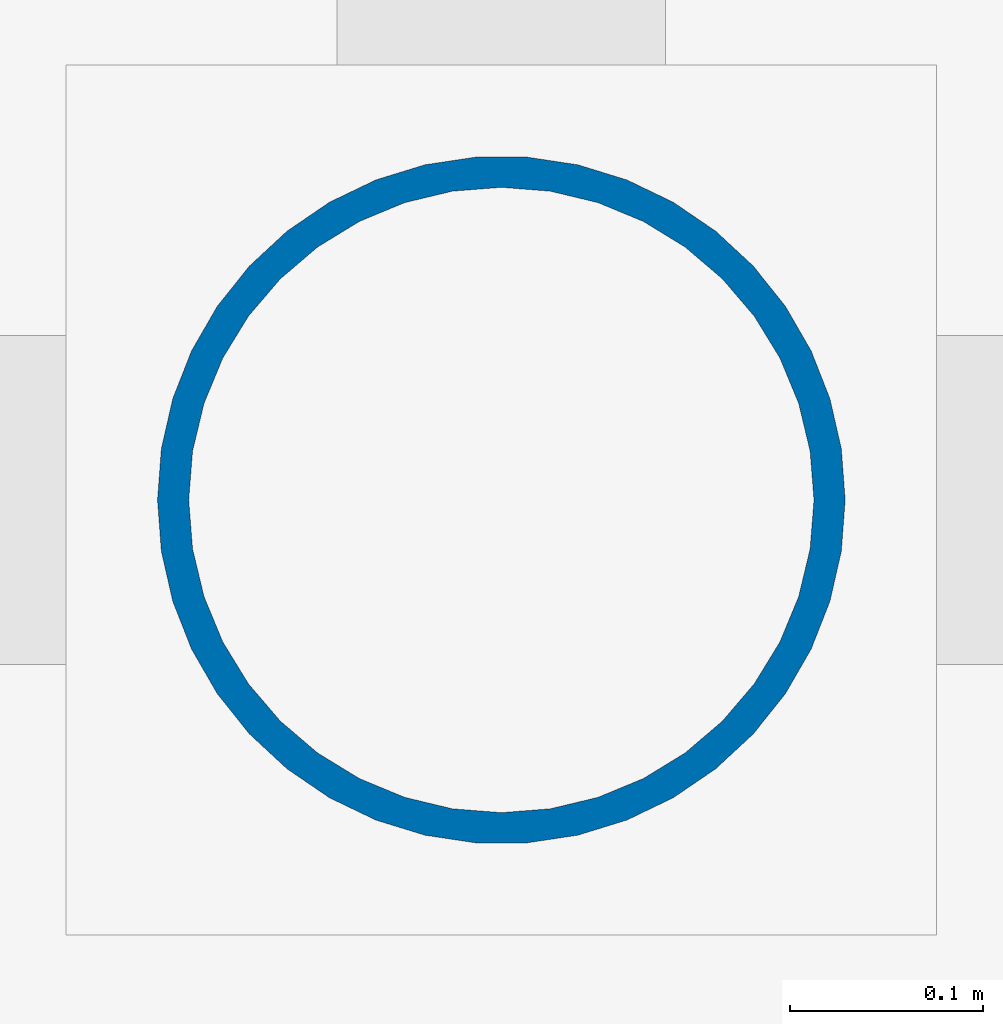
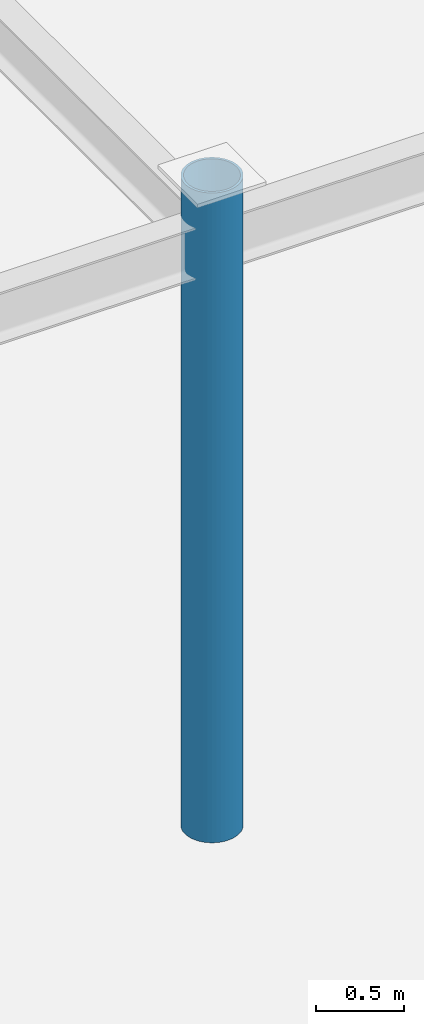
# One storey, part 2 of 39: 1 column.
"""IFC4 building model written with IfcOpenShell, lengths in metres."""

import ifcopenshell
import ifcopenshell.guid

model = None  # the IFC model being written
_history = None  # IfcOwnerHistory: only IFC2X3 demands one
_inside = {}  # id of a spatial element -> (the spatial element, [elements in it])
_under = {}  # id of a project, library or spatial element -> (it, [spatial elements below it])
_declared = {}  # id of a project -> (the project, [libraries it declares])
_typed = {}  # id of a type object -> (the type object, [elements of that type])
_made_of = {}  # id of a material, layer set ... -> (it, [elements and type objects made of it])


def new_model(schema):
    """Start an empty IFC model of exactly this schema.

    Asked for "IFC4X3", IfcOpenShell would pick the latest addendum, in which some entities
    have other attributes; the version numbers below select the first issue.
    IFC2X3 requires an IfcOwnerHistory on every rooted entity: one is made here for all.
    """
    global model, _history
    if schema == "IFC4X3":
        model = ifcopenshell.file(schema_version=(4, 3, 0, 0))
    else:
        model = ifcopenshell.file(schema=schema)
    _inside.clear()
    _under.clear()
    _declared.clear()
    _typed.clear()
    _made_of.clear()
    _history = None
    if model.schema == "IFC2X3":
        org = make("IfcOrganization", Name="unknown")
        user = make(
            "IfcPersonAndOrganization",
            ThePerson=make("IfcPerson", FamilyName="unknown"),
            TheOrganization=org,
        )
        app = make(
            "IfcApplication",
            ApplicationDeveloper=org,
            Version="unknown",
            ApplicationFullName="unknown",
            ApplicationIdentifier="unknown",
        )
        _history = make(
            "IfcOwnerHistory",
            OwningUser=user,
            OwningApplication=app,
            ChangeAction="ADDED",
            CreationDate=0,
        )
    return model


def make(cls, **values):
    """One entity of the class cls with the attributes given. An attribute that is None is left unset."""
    return model.create_entity(
        cls, **{name: value for name, value in values.items() if value is not None}
    )


def rooted(cls, **values):
    """An entity with a GlobalId (a new one), such as an element, a storey or a relation."""
    return make(cls, GlobalId=ifcopenshell.guid.new(), OwnerHistory=_history, **values)


def si_unit(unit_type, name, prefix=None):
    """IfcSIUnit, for example si_unit("LENGTHUNIT", "METRE", prefix="MILLI")."""
    return make("IfcSIUnit", UnitType=unit_type, Prefix=prefix, Name=name)


def assignment(units):
    """IfcUnitAssignment: the units of a project."""
    return None if units is None else make("IfcUnitAssignment", Units=units)


def point(xyz):
    """IfcCartesianPoint."""
    return None if xyz is None else make("IfcCartesianPoint", Coordinates=xyz)


def direction(xyz):
    """IfcDirection."""
    return None if xyz is None else make("IfcDirection", DirectionRatios=xyz)


def frame(location, z_axis=None, x_axis=None):
    """IfcAxis2Placement3D, a coordinate frame: its origin and axes. An axis left out is left unset."""
    return make(
        "IfcAxis2Placement3D",
        Location=point(location),
        Axis=direction(z_axis),
        RefDirection=direction(x_axis),
    )


def frame_2d(location, x_axis=None):
    """IfcAxis2Placement2D, a coordinate frame in the plane: its origin and x axis."""
    return make(
        "IfcAxis2Placement2D", Location=point(location), RefDirection=direction(x_axis)
    )


def origin():
    """The frame at (0, 0, 0) with its axes left unset."""
    return frame((0.0, 0.0, 0.0))


def origin_2d():
    """The frame at (0, 0) in the plane with its x axis left unset."""
    return frame_2d((0.0, 0.0))


def place(relative_to, where):
    """IfcLocalPlacement: puts the frame where relative to a parent placement (None: the world)."""
    return make(
        "IfcLocalPlacement", PlacementRelTo=relative_to, RelativePlacement=where
    )


def context(
    kind, dimensions, precision=None, world=None, true_north=None, identifier=None
):
    """IfcGeometricRepresentationContext, for example the 3D "Model" context."""
    return make(
        "IfcGeometricRepresentationContext",
        ContextIdentifier=identifier,
        ContextType=kind,
        CoordinateSpaceDimension=dimensions,
        Precision=precision,
        WorldCoordinateSystem=world,
        TrueNorth=true_north,
    )


def subcontext(parent, identifier, kind, view, scale=None):
    """IfcGeometricRepresentationSubContext, for example "Body" below "Model"."""
    return make(
        "IfcGeometricRepresentationSubContext",
        ContextIdentifier=identifier,
        ContextType=kind,
        ParentContext=parent,
        TargetScale=scale,
        TargetView=view,
    )


def project(units=None, contexts=None):
    """IfcProject with its units and contexts."""
    return rooted(
        "IfcProject",
        Name="project",
        RepresentationContexts=contexts,
        UnitsInContext=assignment(units),
    )


def spatial(cls, under=None, at=None, **own):
    """A site, building, storey or space (cls), placed at a placement, below another one or the project."""
    s = rooted(cls, ObjectPlacement=at, **own)
    if under is not None:
        _under.setdefault(under.id(), (under, []))[1].append(s)
    return s


def profile(cls, at=None, kind="AREA", **sizes):
    """A parametric profile (cls). Its sizes go by their IFC names, for example OverallWidth=200.0."""
    return make(cls, ProfileType=kind, Position=at, **sizes)


def hollow_circle(**sizes):
    """IfcCircleHollowProfileDef."""
    return profile("IfcCircleHollowProfileDef", **sizes)


def extrude(swept, where, along, depth):
    """IfcExtrudedAreaSolid: the profile swept, set in the frame where, extruded along a direction by depth."""
    return make(
        "IfcExtrudedAreaSolid",
        SweptArea=swept,
        Position=where,
        ExtrudedDirection=direction(along),
        Depth=depth,
    )


def shape(context_of_items, identifier, shape_type, items):
    """IfcShapeRepresentation: the items that make up one representation, for example the "Body"."""
    return make(
        "IfcShapeRepresentation",
        ContextOfItems=context_of_items,
        RepresentationIdentifier=identifier,
        RepresentationType=shape_type,
        Items=items,
    )


def source(mapping_origin, context_of_items, identifier, shape_type, items):
    """IfcRepresentationMap: a shape defined once, which mapped items show again and again."""
    return make(
        "IfcRepresentationMap",
        MappingOrigin=mapping_origin,
        MappedRepresentation=shape(context_of_items, identifier, shape_type, items),
    )


def transform(
    local_origin,
    x_axis=None,
    y_axis=None,
    z_axis=None,
    scale=None,
    scale2=None,
    scale3=None,
    uniform=True,
):
    """IfcCartesianTransformationOperator3D, or its non-uniform kind. x_axis, y_axis, z_axis: its Axis1, 2, 3."""
    if uniform:
        return make(
            "IfcCartesianTransformationOperator3D",
            Axis1=direction(x_axis),
            Axis2=direction(y_axis),
            LocalOrigin=point(local_origin),
            Scale=scale,
            Axis3=direction(z_axis),
        )
    return make(
        "IfcCartesianTransformationOperator3DnonUniform",
        Axis1=direction(x_axis),
        Axis2=direction(y_axis),
        LocalOrigin=point(local_origin),
        Scale=scale,
        Axis3=direction(z_axis),
        Scale2=scale2,
        Scale3=scale3,
    )


def mapped(mapping_source, mapping_target):
    """IfcMappedItem: shows the shape of a source again, moved by a transform."""
    return make(
        "IfcMappedItem", MappingSource=mapping_source, MappingTarget=mapping_target
    )


def material(Name=None, Category=None):
    """IfcMaterial."""
    return make("IfcMaterial", Name=Name, Category=Category)


def material_profile(
    of_material, cross_section, Name=None, Category=None, Priority=None
):
    """IfcMaterialProfile: a cross section and its material."""
    return make(
        "IfcMaterialProfile",
        Name=Name,
        Material=of_material,
        Profile=cross_section,
        Priority=Priority,
        Category=Category,
    )


def profile_set(profiles, Name=None, composite=None):
    """IfcMaterialProfileSet."""
    return make(
        "IfcMaterialProfileSet",
        Name=Name,
        MaterialProfiles=profiles,
        CompositeProfile=composite,
    )


def made_of(thing, what):
    """Note that an element or type object is made of a material, layer set ...; save() writes the relation."""
    if what is not None:
        _made_of.setdefault(what.id(), (what, []))[1].append(thing)
    return thing


def type_object(cls, material=None, **own):
    """A type object (cls), such as IfcWallType, which elements share."""
    return made_of(rooted(cls, **own), material)


def element(
    cls,
    number,
    at=None,
    inside=None,
    cuts=None,
    type_object=None,
    material=None,
    context=None,
    identifier="Body",
    shape_type=None,
    held_by="IfcProductDefinitionShape",
    body=None,
    shapes=None,
    **own,
):
    """One element of the class cls, such as IfcWall. Its Tag is "e" and its number.

    at: its placement. inside: the storey or other place that contains it. cuts: it is an
    opening in that element (IfcRelVoidsElement). A single representation is given by context,
    identifier, shape_type and body (its items); several are given by shapes. held_by: the class
    of the entity that holds the representations. save() writes the other relations.
    """
    e = rooted(cls, Tag="e%d" % number, ObjectPlacement=at, **own)
    if body is not None:
        shapes = [shape(context, identifier, shape_type, body)]
    if shapes is not None:
        e.Representation = make(held_by, Representations=shapes)
    if inside is not None:
        _inside.setdefault(inside.id(), (inside, []))[1].append(e)
    if cuts is not None:
        rooted(
            "IfcRelVoidsElement", RelatingBuildingElement=cuts, RelatedOpeningElement=e
        )
    if type_object is not None:
        _typed.setdefault(type_object.id(), (type_object, []))[1].append(e)
    return made_of(e, material)


def aggregate(whole, parts):
    """IfcRelAggregates: a whole, such as a stair, and the parts it consists of."""
    return rooted("IfcRelAggregates", RelatingObject=whole, RelatedObjects=parts)


def save(model, path):
    """Write the relations noted so far, then the file.

    IfcRelAggregates (storeys below a building ...), IfcRelContainedInSpatialStructure (elements
    in a storey), IfcRelDefinesByType, IfcRelAssociatesMaterial and IfcRelDeclares: one each for
    every whole, place, type object, material and project.
    """
    for whole, parts in _under.values():
        aggregate(whole, parts)
    for where, things in _inside.values():
        rooted(
            "IfcRelContainedInSpatialStructure",
            RelatedElements=things,
            RelatingStructure=where,
        )
    for kind, things in _typed.values():
        rooted("IfcRelDefinesByType", RelatedObjects=things, RelatingType=kind)
    for what, things in _made_of.values():
        rooted("IfcRelAssociatesMaterial", RelatedObjects=things, RelatingMaterial=what)
    for by, libraries in _declared.values():
        rooted("IfcRelDeclares", RelatingContext=by, RelatedDefinitions=libraries)
    model.write(path)


model = new_model("IFC4")

# Units and contexts
model_context = context("Model", 3, precision=1e-05, world=origin(), true_north=direction((0.0, 1.0)))
body_context = subcontext(model_context, "Body", "Model", "MODEL_VIEW")
ifc_project = project(units=[si_unit("LENGTHUNIT", "METRE"), si_unit("AREAUNIT", "SQUARE_METRE"), si_unit("VOLUMEUNIT", "CUBIC_METRE"), si_unit("PLANEANGLEUNIT", "RADIAN"), si_unit("MASSUNIT", "GRAM", prefix="KILO")], contexts=[model_context])

# Site, building, storey
site_placement = place(None, origin())
site = spatial("IfcSite", under=ifc_project, at=site_placement, CompositionType="ELEMENT")
building_placement = place(site_placement, origin())
building = spatial("IfcBuilding", under=site, at=building_placement, Name="Khoralis Quay Care Tower", CompositionType="ELEMENT")
storey_placement = place(building_placement, origin())
storey = spatial("IfcBuildingStorey", under=building, at=storey_placement, Name="L00", CompositionType="ELEMENT", Elevation=0.0)

# Column
ifc_material = material(Name="Steel S355", Category="steel")
ifc_material_profile = material_profile(ifc_material, hollow_circle(Radius=0.177734375, WallThickness=0.01611328125, at=origin_2d()), Name="Steel S355")
ifc_profile_set = profile_set([ifc_material_profile], Name="Steel S355")
column_type = type_object("IfcColumnType", Name="COL-CN-CHS355", PredefinedType="COLUMN", material=ifc_profile_set)
shared_shape = source(origin(), body_context, "Body", "SweptSolid", [
    extrude(hollow_circle(Radius=0.177734375, WallThickness=0.01611328125, at=origin_2d()), origin(), (0.0, 0.0, 1.0), 4.5),
])
column_placement = place(storey_placement, frame((60.0, 15.0, 0.0), z_axis=(0.0, 0.0, 1.0), x_axis=(1.0, 0.0, 0.0)))
element("IfcColumn", 1, at=column_placement, inside=storey, type_object=column_type, Name="COL-L00-CAN-01", PredefinedType="COLUMN", context=body_context, shape_type="MappedRepresentation", body=[
    mapped(shared_shape, transform((0.0, 0.0, 0.0), scale=1.0)),
])

save(model, "model.ifc")
